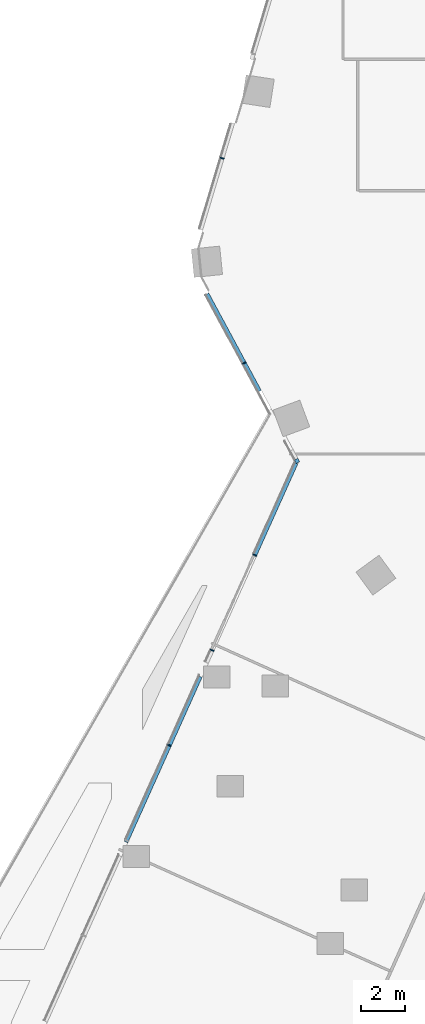
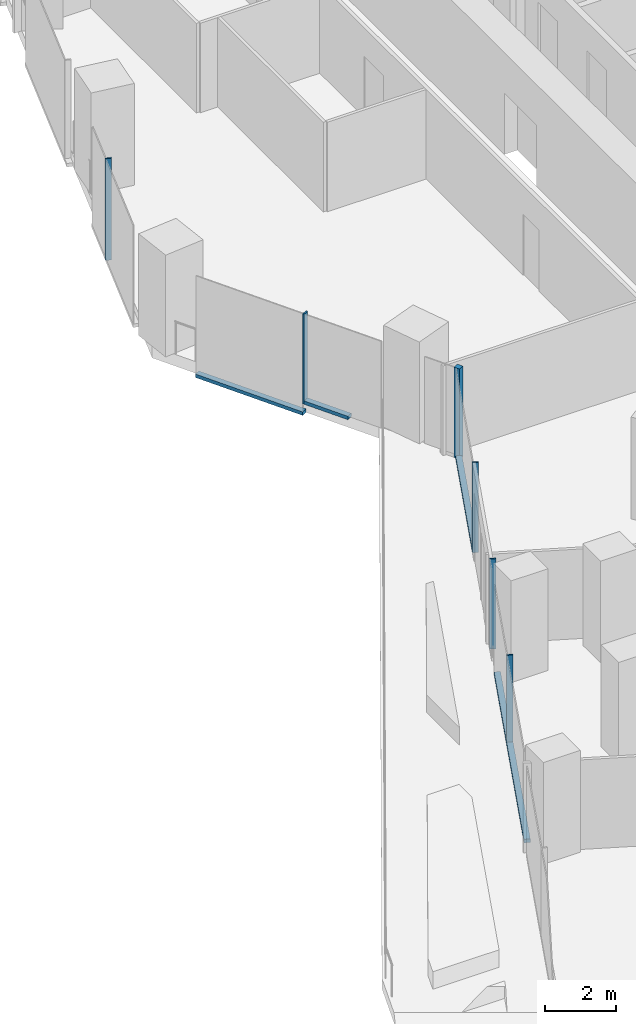
# One storey, part 5 of 32: 10 members, 3 elements without a shape of their own.
"""IFC4 building model written with IfcOpenShell, lengths in metres."""

from ifc_helpers import new_model, si_unit, direction, frame, origin, origin_2d, place, context, subcontext, project, spatial, rectangle, extrude, material, material_profile, profile_set, type_object, element, aggregate, save


model = new_model("IFC4")

# Units and contexts
model_context = context("Model", 3, precision=1e-05, world=origin(), true_north=direction((0.0, 1.0)))
body_context = subcontext(model_context, "Body", "Model", "MODEL_VIEW")
ifc_project = project(units=[si_unit("LENGTHUNIT", "METRE"), si_unit("AREAUNIT", "SQUARE_METRE"), si_unit("VOLUMEUNIT", "CUBIC_METRE"), si_unit("PLANEANGLEUNIT", "RADIAN"), si_unit("MASSUNIT", "GRAM", prefix="KILO")], contexts=[model_context])

# Site, building, storey
site_placement = place(None, origin())
site = spatial("IfcSite", under=ifc_project, at=site_placement, CompositionType="ELEMENT")
building_placement = place(site_placement, origin())
building = spatial("IfcBuilding", under=site, at=building_placement, Name="Orlundy Tower", CompositionType="ELEMENT")
storey_placement = place(building_placement, frame((0.0, 0.0, 123.699951171875)))
storey = spatial("IfcBuildingStorey", under=building, at=storey_placement, Name="L31", CompositionType="ELEMENT", Elevation=123.699951171875)

# Curtain wall, member
ifc_material_1 = material(Name="Aluminium bronze anodised", Category="aluminium")
curtain_wall_type = type_object("IfcCurtainWallType", Name="CW1 wall", PredefinedType="NOTDEFINED", material=ifc_material_1)
curtain_wall_1_placement = place(storey_placement, origin())
curtain_wall_1 = element("IfcCurtainWall", 1, at=curtain_wall_1_placement, inside=storey, type_object=curtain_wall_type, Name="CW1 run 01", PredefinedType="NOTDEFINED")
ifc_material_2 = material(Name="Aluminium bronze anodised", Category="aluminium")
ifc_material_profile_1 = material_profile(ifc_material_2, rectangle(XDim=0.179931640625, YDim=0.179931640625, at=origin_2d()), Name="CW1 corner post 180x180")
ifc_profile_set_1 = profile_set([ifc_material_profile_1], Name="Aluminium bronze anodised")
member_type_1 = type_object("IfcMemberType", Name="CW1 corner post 180x180", PredefinedType="MULLION", material=ifc_profile_set_1)
member_1_placement = place(storey_placement, frame((-27.545166015625, -12.314697265625, 0.0), z_axis=(0.0, 0.0, 1.0), x_axis=(-0.880188659482, -0.4746239814, 0.0)))
member_1 = element("IfcMember", 2, at=member_1_placement, type_object=member_type_1, Name="CW1 mullion 7", PredefinedType="MULLION", context=body_context, shape_type="SweptSolid", body=[
    extrude(rectangle(XDim=0.179931640625, YDim=0.179931640625, at=origin_2d()), origin(), (0.0, 0.0, 1.0), 3.10009765625),
])

# Curtain wall, members
curtain_wall_2_placement = place(storey_placement, origin())
curtain_wall_2 = element("IfcCurtainWall", 3, at=curtain_wall_2_placement, inside=storey, type_object=curtain_wall_type, Name="CW1 run 00", PredefinedType="NOTDEFINED")
ifc_material_3 = material(Name="Aluminium bronze anodised", Category="aluminium")
ifc_material_profile_2 = material_profile(ifc_material_3, rectangle(XDim=0.179931640625, YDim=0.050048828125, at=origin_2d()), Name="CW1 mullion 50x180")
ifc_profile_set_2 = profile_set([ifc_material_profile_2], Name="Aluminium bronze anodised")
member_type_2 = type_object("IfcMemberType", Name="CW1 mullion 50x180", PredefinedType="MULLION", material=ifc_profile_set_2)
member_2_placement = place(storey_placement, frame((-33.36767578125, -25.28955078125, 0.0), z_axis=(0.0, 0.0, 1.0), x_axis=(-0.912353169834, 0.409404071174, 0.0)))
member_2 = element("IfcMember", 4, at=member_2_placement, type_object=member_type_2, Name="CW1 mullion 4", PredefinedType="MULLION", context=body_context, shape_type="SweptSolid", body=[
    extrude(rectangle(XDim=0.179931640625, YDim=0.050048828125, at=origin_2d()), origin(), (0.0, 0.0, 1.0), 3.10009765625),
])
member_3_placement = place(storey_placement, frame((-31.4208984375, -20.951171875, 0.0), z_axis=(0.0, 0.0, 1.0), x_axis=(-0.912353169834, 0.409404071174, 0.0)))
member_3 = element("IfcMember", 5, at=member_3_placement, type_object=member_type_2, Name="CW1 mullion 5", PredefinedType="MULLION", context=body_context, shape_type="SweptSolid", body=[
    extrude(rectangle(XDim=0.179931640625, YDim=0.050048828125, at=origin_2d()), origin(), (0.0, 0.0, 1.0), 3.10009765625),
])
member_4_placement = place(storey_placement, frame((-29.473876953125, -16.612548828125, 0.0), z_axis=(0.0, 0.0, 1.0), x_axis=(-0.912353169834, 0.409404071174, 0.0)))
member_4 = element("IfcMember", 6, at=member_4_placement, type_object=member_type_2, Name="CW1 mullion 6", PredefinedType="MULLION", context=body_context, shape_type="SweptSolid", body=[
    extrude(rectangle(XDim=0.179931640625, YDim=0.050048828125, at=origin_2d()), origin(), (0.0, 0.0, 1.0), 3.10009765625),
])

# Member
member_5_placement = place(storey_placement, frame((-29.95361328125, -7.84814453125, 0.0), z_axis=(0.0, 0.0, 1.0), x_axis=(-0.880188659482, -0.4746239814, 0.0)))
member_5 = element("IfcMember", 7, at=member_5_placement, type_object=member_type_2, Name="CW1 mullion 8", PredefinedType="MULLION", context=body_context, shape_type="SweptSolid", body=[
    extrude(rectangle(XDim=0.179931640625, YDim=0.050048828125, at=origin_2d()), origin(), (0.0, 0.0, 1.0), 3.10009765625),
])

# Curtain wall, member
curtain_wall_3_placement = place(storey_placement, origin())
curtain_wall_3 = element("IfcCurtainWall", 8, at=curtain_wall_3_placement, inside=storey, type_object=curtain_wall_type, Name="CW1 run 02", PredefinedType="NOTDEFINED")
member_6_placement = place(storey_placement, frame((-30.964599609375, 1.4873046875, -0.39990234375), z_axis=(0.0, 0.0, 1.0), x_axis=(-0.957985612971, 0.286816257107, 0.0)))
member_6 = element("IfcMember", 9, at=member_6_placement, type_object=member_type_2, Name="CW1 mullion 10", PredefinedType="MULLION", context=body_context, shape_type="SweptSolid", body=[
    extrude(rectangle(XDim=0.179931640625, YDim=0.050048828125, at=origin_2d()), origin(), (0.0, 0.0, 1.0), 3.5),
])
aggregate(curtain_wall_3, [member_6])

# Member
ifc_material_4 = material(Name="Aluminium bronze anodised", Category="aluminium")
ifc_material_profile_3 = material_profile(ifc_material_4, rectangle(XDim=0.179931640625, YDim=0.1201171875, at=origin_2d()), Name="CW1 transom 180x120")
ifc_profile_set_3 = profile_set([ifc_material_profile_3], Name="Aluminium bronze anodised")
member_type_3 = type_object("IfcMemberType", Name="CW1 transom 180x120", PredefinedType="USERDEFINED", material=ifc_profile_set_3)
member_7_placement = place(storey_placement, frame((-35.344970703125, -29.696044921875, 0.06005859375), z_axis=(0.409415362289, 0.91234810304, 0.0), x_axis=(-0.91234810304, 0.409415362289, 0.0)))
member_7 = element("IfcMember", 10, at=member_7_placement, type_object=member_type_3, Name="CW1 transom", ObjectType="TRANSOM", PredefinedType="USERDEFINED", context=body_context, shape_type="SweptSolid", body=[
    extrude(rectangle(XDim=0.179931640625, YDim=0.1201171875, at=origin_2d()), origin(), (0.0, 0.0, 1.0), 8.267822265625),
])

member_8_placement = place(storey_placement, frame((-29.463623046875, -16.58984375, 0.06005859375), z_axis=(0.409380901523, 0.912363566495, 0.0), x_axis=(-0.912363566495, 0.409380901523, 0.0)))
member_8 = element("IfcMember", 11, at=member_8_placement, type_object=member_type_3, Name="CW1 transom", ObjectType="TRANSOM", PredefinedType="USERDEFINED", context=body_context, shape_type="SweptSolid", body=[
    extrude(rectangle(XDim=0.179931640625, YDim=0.1201171875, at=origin_2d()), origin(), (0.0, 0.0, 1.0), 4.572265625),
])

aggregate(curtain_wall_2, [member_2, member_3, member_4, member_7, member_8])

member_9_placement = place(storey_placement, frame((-29.255615234375, -9.142822265625, 0.06005859375), z_axis=(-0.474623313636, 0.88018901956, 0.0), x_axis=(-0.88018901956, -0.474623313636, 0.0)))
member_9 = element("IfcMember", 12, at=member_9_placement, type_object=member_type_3, Name="CW1 transom", ObjectType="TRANSOM", PredefinedType="USERDEFINED", context=body_context, shape_type="SweptSolid", body=[
    extrude(rectangle(XDim=0.179931640625, YDim=0.1201171875, at=origin_2d()), origin(), (0.0, 0.0, 1.0), 1.446044921875),
])

member_10_placement = place(storey_placement, frame((-29.965576171875, -7.826171875, -0.33984375), z_axis=(-0.474628430788, 0.880186260224, 0.0), x_axis=(-0.880186260224, -0.474628430788, 0.0)))
member_10 = element("IfcMember", 13, at=member_10_placement, type_object=member_type_3, Name="CW1 transom", ObjectType="TRANSOM", PredefinedType="USERDEFINED", context=body_context, shape_type="SweptSolid", body=[
    extrude(rectangle(XDim=0.179931640625, YDim=0.1201171875, at=origin_2d()), origin(), (0.0, 0.0, 1.0), 3.55224609375),
])

aggregate(curtain_wall_1, [member_1, member_5, member_9, member_10])

save(model, "model.ifc")
